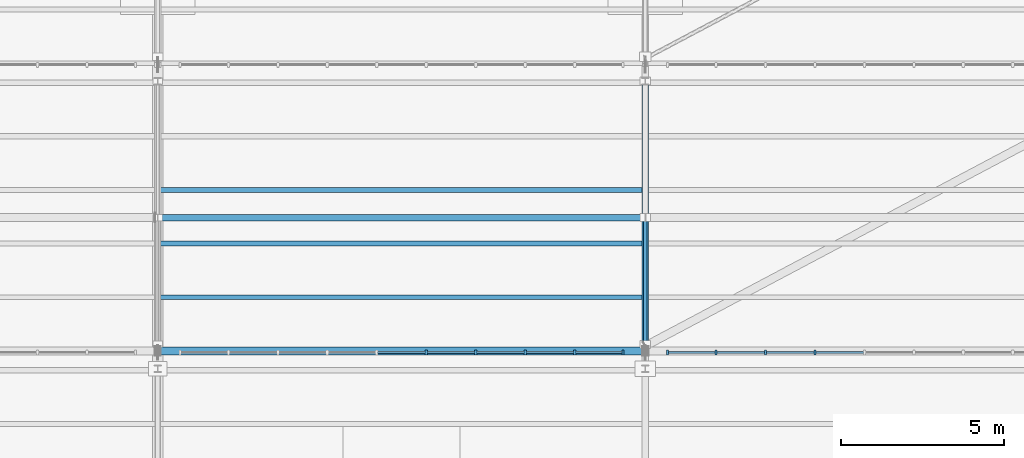
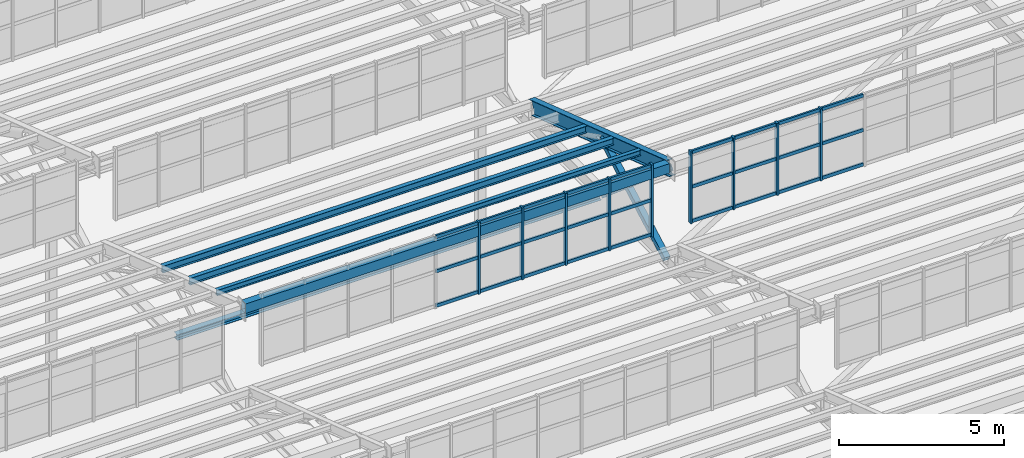
# One storey, part 79 of 285: 39 members, 5 beams, 2 elements without a shape of their own.
"""IFC4 building model written with IfcOpenShell, lengths in metres."""

from ifc_helpers import new_model, si_unit, direction, frame, origin, origin_2d, place, context, subcontext, project, spatial, rectangle, hollow_rectangle, i_section, extrude, material, material_profile, profile_set, type_object, element, aggregate, save


model = new_model("IFC4")

# Units and contexts
model_context = context("Model", 3, precision=1e-05, world=origin(), true_north=direction((0.0, 1.0)))
body_context = subcontext(model_context, "Body", "Model", "MODEL_VIEW")
ifc_project = project(units=[si_unit("LENGTHUNIT", "METRE"), si_unit("AREAUNIT", "SQUARE_METRE"), si_unit("VOLUMEUNIT", "CUBIC_METRE"), si_unit("PLANEANGLEUNIT", "RADIAN"), si_unit("MASSUNIT", "GRAM", prefix="KILO")], contexts=[model_context])

# Site, building, storey
site_placement = place(None, origin())
site = spatial("IfcSite", under=ifc_project, at=site_placement, CompositionType="ELEMENT")
building_placement = place(site_placement, origin())
building = spatial("IfcBuilding", under=site, at=building_placement, Name="Solanera Park Tramway Depot", CompositionType="ELEMENT")
storey_placement = place(building_placement, origin())
storey = spatial("IfcBuildingStorey", under=building, at=storey_placement, Name="L00", CompositionType="ELEMENT", Elevation=0.0)

# Curtain wall, members
ifc_material_1 = material(Name="Bronze-anodised thermally broken aluminium curtain wall", Category="aluminium")
curtain_wall_type = type_object("IfcCurtainWallType", Name="Sawtooth Clerestory Monitor Curtain Wall", PredefinedType="NOTDEFINED", material=ifc_material_1)
curtain_wall_1_placement = place(storey_placement, origin())
curtain_wall_1 = element("IfcCurtainWall", 1, at=curtain_wall_1_placement, inside=storey, type_object=curtain_wall_type, Name="L00 Sawtooth Clerestory Monitor Curtain Wall #016", PredefinedType="NOTDEFINED")
ifc_material_2 = material(Name="Bronze-anodised structural aluminium 6063-T6", Category="aluminium")
ifc_material_profile_1 = material_profile(ifc_material_2, rectangle(XDim=0.06494140625, YDim=0.14990234375, at=origin_2d()), Name="Curtain Wall Mullion 65x150")
ifc_profile_set_1 = profile_set([ifc_material_profile_1], Name="Bronze-anodised structural aluminium 6063-T6")
member_type_1 = type_object("IfcMemberType", Name="Curtain Wall Mullion 65x150", PredefinedType="MULLION", material=ifc_profile_set_1)
member_1_placement = place(storey_placement, frame((83.260986328125, 73.449951171875, 7.75), z_axis=(0.0, 0.0, 1.0), x_axis=(1.0, 0.0, 0.0)))
member_1 = element("IfcMember", 2, at=member_1_placement, type_object=member_type_1, Name="CW-L00-016 Mullion 6", PredefinedType="MULLION", context=body_context, shape_type="SweptSolid", body=[
    extrude(rectangle(XDim=0.06494140625, YDim=0.14990234375, at=origin_2d()), origin(), (0.0, 0.0, 1.0), 2.6611328125),
])
member_2_placement = place(storey_placement, frame((84.783203125, 73.449951171875, 7.75), z_axis=(0.0, 0.0, 1.0), x_axis=(1.0, 0.0, 0.0)))
member_2 = element("IfcMember", 3, at=member_2_placement, type_object=member_type_1, Name="CW-L00-016 Mullion 7", PredefinedType="MULLION", context=body_context, shape_type="SweptSolid", body=[
    extrude(rectangle(XDim=0.06494140625, YDim=0.14990234375, at=origin_2d()), origin(), (0.0, 0.0, 1.0), 2.6611328125),
])
member_3_placement = place(storey_placement, frame((86.3056640625, 73.449951171875, 7.75), z_axis=(0.0, 0.0, 1.0), x_axis=(1.0, 0.0, 0.0)))
member_3 = element("IfcMember", 4, at=member_3_placement, type_object=member_type_1, Name="CW-L00-016 Mullion 8", PredefinedType="MULLION", context=body_context, shape_type="SweptSolid", body=[
    extrude(rectangle(XDim=0.06494140625, YDim=0.14990234375, at=origin_2d()), origin(), (0.0, 0.0, 1.0), 2.6611328125),
])
member_4_placement = place(storey_placement, frame((87.827880859375, 73.449951171875, 7.75), z_axis=(0.0, 0.0, 1.0), x_axis=(1.0, 0.0, 0.0)))
member_4 = element("IfcMember", 5, at=member_4_placement, type_object=member_type_1, Name="CW-L00-016 Mullion 9", PredefinedType="MULLION", context=body_context, shape_type="SweptSolid", body=[
    extrude(rectangle(XDim=0.06494140625, YDim=0.14990234375, at=origin_2d()), origin(), (0.0, 0.0, 1.0), 2.6611328125),
])
member_5_placement = place(storey_placement, frame((89.3173828125, 73.449951171875, 7.75), z_axis=(0.0, 0.0, 1.0), x_axis=(1.0, 0.0, 0.0)))
member_5 = element("IfcMember", 6, at=member_5_placement, type_object=member_type_1, Name="CW-L00-016 Mullion 10", PredefinedType="MULLION", context=body_context, shape_type="SweptSolid", body=[
    extrude(rectangle(XDim=0.06494140625, YDim=0.14990234375, at=origin_2d()), origin(), (0.0, 0.0, 1.0), 2.6611328125),
])

curtain_wall_2_placement = place(storey_placement, origin())
curtain_wall_2 = element("IfcCurtainWall", 7, at=curtain_wall_2_placement, inside=storey, type_object=curtain_wall_type, Name="L00 Sawtooth Clerestory Monitor Curtain Wall #017", PredefinedType="NOTDEFINED")
member_6_placement = place(storey_placement, frame((90.6826171875, 73.449951171875, 7.75), z_axis=(0.0, 0.0, 1.0), x_axis=(1.0, 0.0, 0.0)))
member_6 = element("IfcMember", 8, at=member_6_placement, type_object=member_type_1, Name="CW-L00-017 Mullion 1", PredefinedType="MULLION", context=body_context, shape_type="SweptSolid", body=[
    extrude(rectangle(XDim=0.06494140625, YDim=0.14990234375, at=origin_2d()), origin(), (0.0, 0.0, 1.0), 2.6611328125),
])
member_7_placement = place(storey_placement, frame((92.172119140625, 73.449951171875, 7.75), z_axis=(0.0, 0.0, 1.0), x_axis=(1.0, 0.0, 0.0)))
member_7 = element("IfcMember", 9, at=member_7_placement, type_object=member_type_1, Name="CW-L00-017 Mullion 2", PredefinedType="MULLION", context=body_context, shape_type="SweptSolid", body=[
    extrude(rectangle(XDim=0.06494140625, YDim=0.14990234375, at=origin_2d()), origin(), (0.0, 0.0, 1.0), 2.6611328125),
])
member_8_placement = place(storey_placement, frame((93.6943359375, 73.449951171875, 7.75), z_axis=(0.0, 0.0, 1.0), x_axis=(1.0, 0.0, 0.0)))
member_8 = element("IfcMember", 10, at=member_8_placement, type_object=member_type_1, Name="CW-L00-017 Mullion 3", PredefinedType="MULLION", context=body_context, shape_type="SweptSolid", body=[
    extrude(rectangle(XDim=0.06494140625, YDim=0.14990234375, at=origin_2d()), origin(), (0.0, 0.0, 1.0), 2.6611328125),
])
member_9_placement = place(storey_placement, frame((95.216796875, 73.449951171875, 7.75), z_axis=(0.0, 0.0, 1.0), x_axis=(1.0, 0.0, 0.0)))
member_9 = element("IfcMember", 11, at=member_9_placement, type_object=member_type_1, Name="CW-L00-017 Mullion 4", PredefinedType="MULLION", context=body_context, shape_type="SweptSolid", body=[
    extrude(rectangle(XDim=0.06494140625, YDim=0.14990234375, at=origin_2d()), origin(), (0.0, 0.0, 1.0), 2.6611328125),
])

# Member
ifc_material_3 = material(Name="Bronze-anodised structural aluminium 6063-T6", Category="aluminium")
ifc_material_profile_2 = material_profile(ifc_material_3, rectangle(XDim=0.06494140625, YDim=0.1201171875, at=origin_2d()), Name="Curtain Wall Transom 65x120")
ifc_profile_set_2 = profile_set([ifc_material_profile_2], Name="Bronze-anodised structural aluminium 6063-T6")
member_type_2 = type_object("IfcMemberType", Name="Curtain Wall Transom 65x120", PredefinedType="USERDEFINED", material=ifc_profile_set_2)
member_10_placement = place(storey_placement, frame((81.766845703125, 73.449951171875, 7.81005859375), z_axis=(1.0, 0.0, 0.0), x_axis=(0.0, 1.0, 0.0)))
member_10 = element("IfcMember", 12, at=member_10_placement, type_object=member_type_2, Name="CW-L00-016 Transom R1.C5", ObjectType="TRANSOM", PredefinedType="USERDEFINED", context=body_context, shape_type="SweptSolid", body=[
    extrude(rectangle(XDim=0.06494140625, YDim=0.1201171875, at=origin_2d()), origin(), (0.0, 0.0, 1.0), 1.46630859375),
])

member_11_placement = place(storey_placement, frame((83.2890625, 73.449951171875, 7.81005859375), z_axis=(1.0, 0.0, 0.0), x_axis=(0.0, 1.0, 0.0)))
member_11 = element("IfcMember", 13, at=member_11_placement, type_object=member_type_2, Name="CW-L00-016 Transom R1.C6", ObjectType="TRANSOM", PredefinedType="USERDEFINED", context=body_context, shape_type="SweptSolid", body=[
    extrude(rectangle(XDim=0.06494140625, YDim=0.1201171875, at=origin_2d()), origin(), (0.0, 0.0, 1.0), 1.46630859375),
])

member_12_placement = place(storey_placement, frame((84.811279296875, 73.449951171875, 7.81005859375), z_axis=(1.0, 0.0, 0.0), x_axis=(0.0, 1.0, 0.0)))
member_12 = element("IfcMember", 14, at=member_12_placement, type_object=member_type_2, Name="CW-L00-016 Transom R1.C7", ObjectType="TRANSOM", PredefinedType="USERDEFINED", context=body_context, shape_type="SweptSolid", body=[
    extrude(rectangle(XDim=0.06494140625, YDim=0.1201171875, at=origin_2d()), origin(), (0.0, 0.0, 1.0), 1.46630859375),
])

member_13_placement = place(storey_placement, frame((86.33349609375, 73.449951171875, 7.81005859375), z_axis=(1.0, 0.0, 0.0), x_axis=(0.0, 1.0, 0.0)))
member_13 = element("IfcMember", 15, at=member_13_placement, type_object=member_type_2, Name="CW-L00-016 Transom R1.C8", ObjectType="TRANSOM", PredefinedType="USERDEFINED", context=body_context, shape_type="SweptSolid", body=[
    extrude(rectangle(XDim=0.06494140625, YDim=0.1201171875, at=origin_2d()), origin(), (0.0, 0.0, 1.0), 1.46630859375),
])

member_14_placement = place(storey_placement, frame((87.855712890625, 73.449951171875, 7.81005859375), z_axis=(1.0, 0.0, 0.0), x_axis=(0.0, 1.0, 0.0)))
member_14 = element("IfcMember", 16, at=member_14_placement, type_object=member_type_2, Name="CW-L00-016 Transom R1.C9", ObjectType="TRANSOM", PredefinedType="USERDEFINED", context=body_context, shape_type="SweptSolid", body=[
    extrude(rectangle(XDim=0.06494140625, YDim=0.1201171875, at=origin_2d()), origin(), (0.0, 0.0, 1.0), 1.433837890625),
])

member_15_placement = place(storey_placement, frame((81.766845703125, 73.449951171875, 9.08056640625), z_axis=(1.0, 0.0, 0.0), x_axis=(0.0, 1.0, 0.0)))
member_15 = element("IfcMember", 17, at=member_15_placement, type_object=member_type_2, Name="CW-L00-016 Transom R2.C5", ObjectType="TRANSOM", PredefinedType="USERDEFINED", context=body_context, shape_type="SweptSolid", body=[
    extrude(rectangle(XDim=0.06494140625, YDim=0.1201171875, at=origin_2d()), origin(), (0.0, 0.0, 1.0), 1.46630859375),
])

member_16_placement = place(storey_placement, frame((83.2890625, 73.449951171875, 9.08056640625), z_axis=(1.0, 0.0, 0.0), x_axis=(0.0, 1.0, 0.0)))
member_16 = element("IfcMember", 18, at=member_16_placement, type_object=member_type_2, Name="CW-L00-016 Transom R2.C6", ObjectType="TRANSOM", PredefinedType="USERDEFINED", context=body_context, shape_type="SweptSolid", body=[
    extrude(rectangle(XDim=0.06494140625, YDim=0.1201171875, at=origin_2d()), origin(), (0.0, 0.0, 1.0), 1.46630859375),
])

member_17_placement = place(storey_placement, frame((84.811279296875, 73.449951171875, 9.08056640625), z_axis=(1.0, 0.0, 0.0), x_axis=(0.0, 1.0, 0.0)))
member_17 = element("IfcMember", 19, at=member_17_placement, type_object=member_type_2, Name="CW-L00-016 Transom R2.C7", ObjectType="TRANSOM", PredefinedType="USERDEFINED", context=body_context, shape_type="SweptSolid", body=[
    extrude(rectangle(XDim=0.06494140625, YDim=0.1201171875, at=origin_2d()), origin(), (0.0, 0.0, 1.0), 1.46630859375),
])

member_18_placement = place(storey_placement, frame((86.33349609375, 73.449951171875, 9.08056640625), z_axis=(1.0, 0.0, 0.0), x_axis=(0.0, 1.0, 0.0)))
member_18 = element("IfcMember", 20, at=member_18_placement, type_object=member_type_2, Name="CW-L00-016 Transom R2.C8", ObjectType="TRANSOM", PredefinedType="USERDEFINED", context=body_context, shape_type="SweptSolid", body=[
    extrude(rectangle(XDim=0.06494140625, YDim=0.1201171875, at=origin_2d()), origin(), (0.0, 0.0, 1.0), 1.46630859375),
])

member_19_placement = place(storey_placement, frame((87.855712890625, 73.449951171875, 9.08056640625), z_axis=(1.0, 0.0, 0.0), x_axis=(0.0, 1.0, 0.0)))
member_19 = element("IfcMember", 21, at=member_19_placement, type_object=member_type_2, Name="CW-L00-016 Transom R2.C9", ObjectType="TRANSOM", PredefinedType="USERDEFINED", context=body_context, shape_type="SweptSolid", body=[
    extrude(rectangle(XDim=0.06494140625, YDim=0.1201171875, at=origin_2d()), origin(), (0.0, 0.0, 1.0), 1.433837890625),
])

member_20_placement = place(storey_placement, frame((81.766845703125, 73.449951171875, 10.351318359375), z_axis=(1.0, 0.0, 0.0), x_axis=(0.0, 1.0, 0.0)))
member_20 = element("IfcMember", 22, at=member_20_placement, type_object=member_type_2, Name="CW-L00-016 Transom R3.C5", ObjectType="TRANSOM", PredefinedType="USERDEFINED", context=body_context, shape_type="SweptSolid", body=[
    extrude(rectangle(XDim=0.06494140625, YDim=0.1201171875, at=origin_2d()), origin(), (0.0, 0.0, 1.0), 1.46630859375),
])

member_21_placement = place(storey_placement, frame((83.2890625, 73.449951171875, 10.351318359375), z_axis=(1.0, 0.0, 0.0), x_axis=(0.0, 1.0, 0.0)))
member_21 = element("IfcMember", 23, at=member_21_placement, type_object=member_type_2, Name="CW-L00-016 Transom R3.C6", ObjectType="TRANSOM", PredefinedType="USERDEFINED", context=body_context, shape_type="SweptSolid", body=[
    extrude(rectangle(XDim=0.06494140625, YDim=0.1201171875, at=origin_2d()), origin(), (0.0, 0.0, 1.0), 1.46630859375),
])

member_22_placement = place(storey_placement, frame((84.811279296875, 73.449951171875, 10.351318359375), z_axis=(1.0, 0.0, 0.0), x_axis=(0.0, 1.0, 0.0)))
member_22 = element("IfcMember", 24, at=member_22_placement, type_object=member_type_2, Name="CW-L00-016 Transom R3.C7", ObjectType="TRANSOM", PredefinedType="USERDEFINED", context=body_context, shape_type="SweptSolid", body=[
    extrude(rectangle(XDim=0.06494140625, YDim=0.1201171875, at=origin_2d()), origin(), (0.0, 0.0, 1.0), 1.46630859375),
])

member_23_placement = place(storey_placement, frame((86.33349609375, 73.449951171875, 10.351318359375), z_axis=(1.0, 0.0, 0.0), x_axis=(0.0, 1.0, 0.0)))
member_23 = element("IfcMember", 25, at=member_23_placement, type_object=member_type_2, Name="CW-L00-016 Transom R3.C8", ObjectType="TRANSOM", PredefinedType="USERDEFINED", context=body_context, shape_type="SweptSolid", body=[
    extrude(rectangle(XDim=0.06494140625, YDim=0.1201171875, at=origin_2d()), origin(), (0.0, 0.0, 1.0), 1.46630859375),
])

member_24_placement = place(storey_placement, frame((87.855712890625, 73.449951171875, 10.351318359375), z_axis=(1.0, 0.0, 0.0), x_axis=(0.0, 1.0, 0.0)))
member_24 = element("IfcMember", 26, at=member_24_placement, type_object=member_type_2, Name="CW-L00-016 Transom R3.C9", ObjectType="TRANSOM", PredefinedType="USERDEFINED", context=body_context, shape_type="SweptSolid", body=[
    extrude(rectangle(XDim=0.06494140625, YDim=0.1201171875, at=origin_2d()), origin(), (0.0, 0.0, 1.0), 1.433837890625),
])

aggregate(curtain_wall_1, [member_1, member_2, member_3, member_4, member_5, member_10, member_11, member_12, member_13, member_14, member_15, member_16, member_17, member_18, member_19, member_20, member_21, member_22, member_23, member_24])

member_25_placement = place(storey_placement, frame((90.71044921875, 73.449951171875, 7.81005859375), z_axis=(1.0, 0.0, 0.0), x_axis=(0.0, 1.0, 0.0)))
member_25 = element("IfcMember", 27, at=member_25_placement, type_object=member_type_2, Name="CW-L00-017 Transom R1.C1", ObjectType="TRANSOM", PredefinedType="USERDEFINED", context=body_context, shape_type="SweptSolid", body=[
    extrude(rectangle(XDim=0.06494140625, YDim=0.1201171875, at=origin_2d()), origin(), (0.0, 0.0, 1.0), 1.433837890625),
])

member_26_placement = place(storey_placement, frame((92.2001953125, 73.449951171875, 7.81005859375), z_axis=(1.0, 0.0, 0.0), x_axis=(0.0, 1.0, 0.0)))
member_26 = element("IfcMember", 28, at=member_26_placement, type_object=member_type_2, Name="CW-L00-017 Transom R1.C2", ObjectType="TRANSOM", PredefinedType="USERDEFINED", context=body_context, shape_type="SweptSolid", body=[
    extrude(rectangle(XDim=0.06494140625, YDim=0.1201171875, at=origin_2d()), origin(), (0.0, 0.0, 1.0), 1.46630859375),
])

member_27_placement = place(storey_placement, frame((93.722412109375, 73.449951171875, 7.81005859375), z_axis=(1.0, 0.0, 0.0), x_axis=(0.0, 1.0, 0.0)))
member_27 = element("IfcMember", 29, at=member_27_placement, type_object=member_type_2, Name="CW-L00-017 Transom R1.C3", ObjectType="TRANSOM", PredefinedType="USERDEFINED", context=body_context, shape_type="SweptSolid", body=[
    extrude(rectangle(XDim=0.06494140625, YDim=0.1201171875, at=origin_2d()), origin(), (0.0, 0.0, 1.0), 1.46630859375),
])

member_28_placement = place(storey_placement, frame((95.24462890625, 73.449951171875, 7.81005859375), z_axis=(1.0, 0.0, 0.0), x_axis=(0.0, 1.0, 0.0)))
member_28 = element("IfcMember", 30, at=member_28_placement, type_object=member_type_2, Name="CW-L00-017 Transom R1.C4", ObjectType="TRANSOM", PredefinedType="USERDEFINED", context=body_context, shape_type="SweptSolid", body=[
    extrude(rectangle(XDim=0.06494140625, YDim=0.1201171875, at=origin_2d()), origin(), (0.0, 0.0, 1.0), 1.46630859375),
])

member_29_placement = place(storey_placement, frame((90.71044921875, 73.449951171875, 9.08056640625), z_axis=(1.0, 0.0, 0.0), x_axis=(0.0, 1.0, 0.0)))
member_29 = element("IfcMember", 31, at=member_29_placement, type_object=member_type_2, Name="CW-L00-017 Transom R2.C1", ObjectType="TRANSOM", PredefinedType="USERDEFINED", context=body_context, shape_type="SweptSolid", body=[
    extrude(rectangle(XDim=0.06494140625, YDim=0.1201171875, at=origin_2d()), origin(), (0.0, 0.0, 1.0), 1.433837890625),
])

member_30_placement = place(storey_placement, frame((92.2001953125, 73.449951171875, 9.08056640625), z_axis=(1.0, 0.0, 0.0), x_axis=(0.0, 1.0, 0.0)))
member_30 = element("IfcMember", 32, at=member_30_placement, type_object=member_type_2, Name="CW-L00-017 Transom R2.C2", ObjectType="TRANSOM", PredefinedType="USERDEFINED", context=body_context, shape_type="SweptSolid", body=[
    extrude(rectangle(XDim=0.06494140625, YDim=0.1201171875, at=origin_2d()), origin(), (0.0, 0.0, 1.0), 1.46630859375),
])

member_31_placement = place(storey_placement, frame((93.722412109375, 73.449951171875, 9.08056640625), z_axis=(1.0, 0.0, 0.0), x_axis=(0.0, 1.0, 0.0)))
member_31 = element("IfcMember", 33, at=member_31_placement, type_object=member_type_2, Name="CW-L00-017 Transom R2.C3", ObjectType="TRANSOM", PredefinedType="USERDEFINED", context=body_context, shape_type="SweptSolid", body=[
    extrude(rectangle(XDim=0.06494140625, YDim=0.1201171875, at=origin_2d()), origin(), (0.0, 0.0, 1.0), 1.46630859375),
])

member_32_placement = place(storey_placement, frame((95.24462890625, 73.449951171875, 9.08056640625), z_axis=(1.0, 0.0, 0.0), x_axis=(0.0, 1.0, 0.0)))
member_32 = element("IfcMember", 34, at=member_32_placement, type_object=member_type_2, Name="CW-L00-017 Transom R2.C4", ObjectType="TRANSOM", PredefinedType="USERDEFINED", context=body_context, shape_type="SweptSolid", body=[
    extrude(rectangle(XDim=0.06494140625, YDim=0.1201171875, at=origin_2d()), origin(), (0.0, 0.0, 1.0), 1.46630859375),
])

member_33_placement = place(storey_placement, frame((90.71044921875, 73.449951171875, 10.351318359375), z_axis=(1.0, 0.0, 0.0), x_axis=(0.0, 1.0, 0.0)))
member_33 = element("IfcMember", 35, at=member_33_placement, type_object=member_type_2, Name="CW-L00-017 Transom R3.C1", ObjectType="TRANSOM", PredefinedType="USERDEFINED", context=body_context, shape_type="SweptSolid", body=[
    extrude(rectangle(XDim=0.06494140625, YDim=0.1201171875, at=origin_2d()), origin(), (0.0, 0.0, 1.0), 1.433837890625),
])

member_34_placement = place(storey_placement, frame((92.2001953125, 73.449951171875, 10.351318359375), z_axis=(1.0, 0.0, 0.0), x_axis=(0.0, 1.0, 0.0)))
member_34 = element("IfcMember", 36, at=member_34_placement, type_object=member_type_2, Name="CW-L00-017 Transom R3.C2", ObjectType="TRANSOM", PredefinedType="USERDEFINED", context=body_context, shape_type="SweptSolid", body=[
    extrude(rectangle(XDim=0.06494140625, YDim=0.1201171875, at=origin_2d()), origin(), (0.0, 0.0, 1.0), 1.46630859375),
])

member_35_placement = place(storey_placement, frame((93.722412109375, 73.449951171875, 10.351318359375), z_axis=(1.0, 0.0, 0.0), x_axis=(0.0, 1.0, 0.0)))
member_35 = element("IfcMember", 37, at=member_35_placement, type_object=member_type_2, Name="CW-L00-017 Transom R3.C3", ObjectType="TRANSOM", PredefinedType="USERDEFINED", context=body_context, shape_type="SweptSolid", body=[
    extrude(rectangle(XDim=0.06494140625, YDim=0.1201171875, at=origin_2d()), origin(), (0.0, 0.0, 1.0), 1.46630859375),
])

member_36_placement = place(storey_placement, frame((95.24462890625, 73.449951171875, 10.351318359375), z_axis=(1.0, 0.0, 0.0), x_axis=(0.0, 1.0, 0.0)))
member_36 = element("IfcMember", 38, at=member_36_placement, type_object=member_type_2, Name="CW-L00-017 Transom R3.C4", ObjectType="TRANSOM", PredefinedType="USERDEFINED", context=body_context, shape_type="SweptSolid", body=[
    extrude(rectangle(XDim=0.06494140625, YDim=0.1201171875, at=origin_2d()), origin(), (0.0, 0.0, 1.0), 1.46630859375),
])

aggregate(curtain_wall_2, [member_6, member_7, member_8, member_9, member_25, member_26, member_27, member_28, member_29, member_30, member_31, member_32, member_33, member_34, member_35, member_36])

# Members
ifc_material_4 = material(Name="Steel AS/NZS 1163 Grade C350L0", Category="steel")
ifc_material_profile_3 = material_profile(ifc_material_4, hollow_rectangle(XDim=0.199951171875, YDim=0.199951171875, WallThickness=0.008056640625, at=origin_2d()), Name="200x200x8.0 SHS")
ifc_profile_set_3 = profile_set([ifc_material_profile_3], Name="Steel AS/NZS 1163 Grade C350L0")
member_type_3 = type_object("IfcMemberType", Name="Roof Gantry Compression Strut 200x200x8.0 SHS", PredefinedType="STRUT", material=ifc_profile_set_3)
member_37_placement = place(storey_placement, frame((90.0, 73.699951171875, 6.5), z_axis=(0.0, 0.877679219611, 0.479248565425), x_axis=(-1.0, 0.0, 0.0)))
element("IfcMember", 39, at=member_37_placement, inside=storey, type_object=member_type_3, Name="Sawtooth ROOF TRUSS Strut 200x200x8.0 SHS #0105", PredefinedType="STRUT", context=body_context, shape_type="SweptSolid", body=[
    extrude(hollow_rectangle(XDim=0.199951171875, YDim=0.199951171875, WallThickness=0.008056640625, at=origin_2d()), origin(), (0.0, 0.0, 1.0), 4.443603515625),
])
ifc_material_5 = material(Name="Steel AS/NZS 3679.1 Grade 350", Category="steel")
ifc_material_profile_4 = material_profile(ifc_material_5, i_section(OverallWidth=0.203369140625, OverallDepth=0.203369140625, WebThickness=0.00732421875, FlangeThickness=0.010986328125, at=origin_2d()), Name="200UC46.2")
ifc_profile_set_4 = profile_set([ifc_material_profile_4], Name="Steel AS/NZS 3679.1 Grade 350")
member_type_4 = type_object("IfcMemberType", Name="Secondary Truss Chord 200UC46.2", PredefinedType="CHORD", material=ifc_profile_set_4)
member_38_placement = place(storey_placement, frame((75.087890625, 77.60009765625, 6.5), z_axis=(1.0, 0.0, 0.0), x_axis=(0.0, 1.0, 0.0)))
element("IfcMember", 40, at=member_38_placement, inside=storey, type_object=member_type_4, Name="Sawtooth Longitudinal Tie Chord 200UC46.2 #0125", PredefinedType="CHORD", context=body_context, shape_type="SweptSolid", body=[
    extrude(i_section(OverallWidth=0.203369140625, OverallDepth=0.203369140625, WebThickness=0.00732421875, FlangeThickness=0.010986328125, at=origin_2d()), origin(), (0.0, 0.0, 1.0), 14.82421875),
])

# Beams
ifc_material_6 = material(Name="Steel AS/NZS 3679.1 Grade 350", Category="steel")
ifc_material_profile_5 = material_profile(ifc_material_6, i_section(OverallWidth=0.209228515625, OverallDepth=0.532958984375, WebThickness=0.01025390625, FlangeThickness=0.015625, at=origin_2d()), Name="530UB92.4")
ifc_profile_set_5 = profile_set([ifc_material_profile_5], Name="Steel AS/NZS 3679.1 Grade 350")
beam_type_1 = type_object("IfcBeamType", Name="Steel Beam 530UB92.4", PredefinedType="BEAM", material=ifc_profile_set_5)
beam_1_placement = place(storey_placement, frame((90.0, 73.449951171875, 10.018310546875), z_axis=(0.0, 0.948322229475, -0.317308917435), x_axis=(-1.0, 0.0, 0.0)))
element("IfcBeam", 41, at=beam_1_placement, inside=storey, type_object=beam_type_1, Name="Sawtooth ROOF TRUSS Top Rafter 530UB92.4 B03-T7", PredefinedType="BEAM", context=body_context, shape_type="SweptSolid", body=[
    extrude(i_section(OverallWidth=0.209228515625, OverallDepth=0.532958984375, WebThickness=0.01025390625, FlangeThickness=0.015625, at=origin_2d()), origin(), (0.0, 0.0, 1.0), 8.80517578125),
])
ifc_material_7 = material(Name="Steel AS/NZS 3679.1 Grade 350", Category="steel")
ifc_material_profile_6 = material_profile(ifc_material_7, i_section(OverallWidth=0.13330078125, OverallDepth=0.203125, WebThickness=0.005859375, FlangeThickness=0.0078125, at=origin_2d()), Name="200UB25.4")
ifc_profile_set_6 = profile_set([ifc_material_profile_6], Name="Steel AS/NZS 3679.1 Grade 350")
beam_type_2 = type_object("IfcBeamType", Name="Steel Joist Purlin 200UB25.4", PredefinedType="JOIST", material=ifc_profile_set_6)
beam_2_placement = place(storey_placement, frame((75.087158203125, 75.14990234375, 9.614013671875), z_axis=(1.0, 0.0, 0.0), x_axis=(0.0, 1.0, 0.0)))
element("IfcBeam", 42, at=beam_2_placement, inside=storey, type_object=beam_type_2, Name="Sawtooth Roof Purlin 200UB25.4 B03.2", PredefinedType="JOIST", context=body_context, shape_type="SweptSolid", body=[
    extrude(i_section(OverallWidth=0.13330078125, OverallDepth=0.203125, WebThickness=0.005859375, FlangeThickness=0.0078125, at=origin_2d()), origin(), (0.0, 0.0, 1.0), 14.816162109375),
])
ifc_material_8 = material(Name="Steel AS/NZS 3679.1 Grade 350", Category="steel")
ifc_material_profile_7 = material_profile(ifc_material_8, i_section(OverallWidth=0.14599609375, OverallDepth=0.251708984375, WebThickness=0.006103515625, FlangeThickness=0.008544921875, at=origin_2d()), Name="250UB31.4")
ifc_profile_set_7 = profile_set([ifc_material_profile_7], Name="Steel AS/NZS 3679.1 Grade 350")
beam_type_3 = type_object("IfcBeamType", Name="Steel Joist Purlin 250UB31.4", PredefinedType="JOIST", material=ifc_profile_set_7)
beam_3_placement = place(storey_placement, frame((75.087158203125, 76.800048828125, 9.03564453125), z_axis=(1.0, 0.0, 0.0), x_axis=(0.0, 1.0, 0.0)))
element("IfcBeam", 43, at=beam_3_placement, inside=storey, type_object=beam_type_3, Name="Sawtooth Roof Purlin 250UB31.4 B03.3", PredefinedType="JOIST", context=body_context, shape_type="SweptSolid", body=[
    extrude(i_section(OverallWidth=0.14599609375, OverallDepth=0.251708984375, WebThickness=0.006103515625, FlangeThickness=0.008544921875, at=origin_2d()), origin(), (0.0, 0.0, 1.0), 14.816162109375),
])
ifc_material_9 = material(Name="Steel AS/NZS 3679.1 Grade 350", Category="steel")
ifc_material_profile_8 = material_profile(ifc_material_9, i_section(OverallWidth=0.146484375, OverallDepth=0.256103515625, WebThickness=0.00634765625, FlangeThickness=0.010986328125, at=origin_2d()), Name="250UB37.3")
ifc_profile_set_8 = profile_set([ifc_material_profile_8], Name="Steel AS/NZS 3679.1 Grade 350")
beam_type_4 = type_object("IfcBeamType", Name="Steel Joist Purlin 250UB37.3", PredefinedType="JOIST", material=ifc_profile_set_8)
beam_4_placement = place(storey_placement, frame((75.087158203125, 78.449951171875, 8.481201171875), z_axis=(1.0, 0.0, 0.0), x_axis=(0.0, 1.0, 0.0)))
element("IfcBeam", 44, at=beam_4_placement, inside=storey, type_object=beam_type_4, Name="Sawtooth Roof Purlin 250UB37.3 B03.4", PredefinedType="JOIST", context=body_context, shape_type="SweptSolid", body=[
    extrude(i_section(OverallWidth=0.146484375, OverallDepth=0.256103515625, WebThickness=0.00634765625, FlangeThickness=0.010986328125, at=origin_2d()), origin(), (0.0, 0.0, 1.0), 14.816162109375),
])
ifc_material_10 = material(Name="Steel AS/NZS 1163 Grade C350L0", Category="steel")
ifc_material_profile_9 = material_profile(ifc_material_10, hollow_rectangle(XDim=0.25, YDim=0.35009765625, WallThickness=0.010009765625, at=origin_2d()), Name="350x250x10.0 RHS")
ifc_profile_set_9 = profile_set([ifc_material_profile_9], Name="Steel AS/NZS 1163 Grade C350L0")
beam_type_5 = type_object("IfcBeamType", Name="Steel Joist Purlin 350x250x10.0 RHS", PredefinedType="JOIST", material=ifc_profile_set_9)
beam_5_placement = place(storey_placement, frame((75.087158203125, 73.5, 10.0732421875), z_axis=(1.0, 0.0, 0.0), x_axis=(0.0, 1.0, 0.0)))
element("IfcBeam", 45, at=beam_5_placement, inside=storey, type_object=beam_type_5, Name="Sawtooth Roof Purlin 350x250x10.0 RHS B03.1", PredefinedType="JOIST", context=body_context, shape_type="SweptSolid", body=[
    extrude(hollow_rectangle(XDim=0.25, YDim=0.35009765625, WallThickness=0.010009765625, at=origin_2d()), origin(), (0.0, 0.0, 1.0), 14.816162109375),
])

# Member
ifc_material_11 = material(Name="Steel AS/NZS 1163 Grade C350L0", Category="steel")
ifc_material_profile_10 = material_profile(ifc_material_11, hollow_rectangle(XDim=0.10009765625, YDim=0.199951171875, WallThickness=0.006103515625, at=origin_2d()), Name="200x100x6.0 RHS")
ifc_profile_set_10 = profile_set([ifc_material_profile_10], Name="Steel AS/NZS 1163 Grade C350L0")
member_type_5 = type_object("IfcMemberType", Name="Truss and Frame Brace 200x100x6.0 RHS", PredefinedType="BRACE", material=ifc_profile_set_10)
member_39_placement = place(storey_placement, frame((90.0, 77.60009765625, 6.5), z_axis=(0.0, -0.762783427217, 0.646654036686), x_axis=(1.0, 0.0, 0.0)))
element("IfcMember", 46, at=member_39_placement, inside=storey, type_object=member_type_5, Name="Sawtooth ROOF TRUSS Web Brace 200x100x6.0 RHS #0103", PredefinedType="BRACE", context=body_context, shape_type="SweptSolid", body=[
    extrude(hollow_rectangle(XDim=0.10009765625, YDim=0.199951171875, WallThickness=0.006103515625, at=origin_2d()), origin(), (0.0, 0.0, 1.0), 5.440673828125),
])

save(model, "model.ifc")
